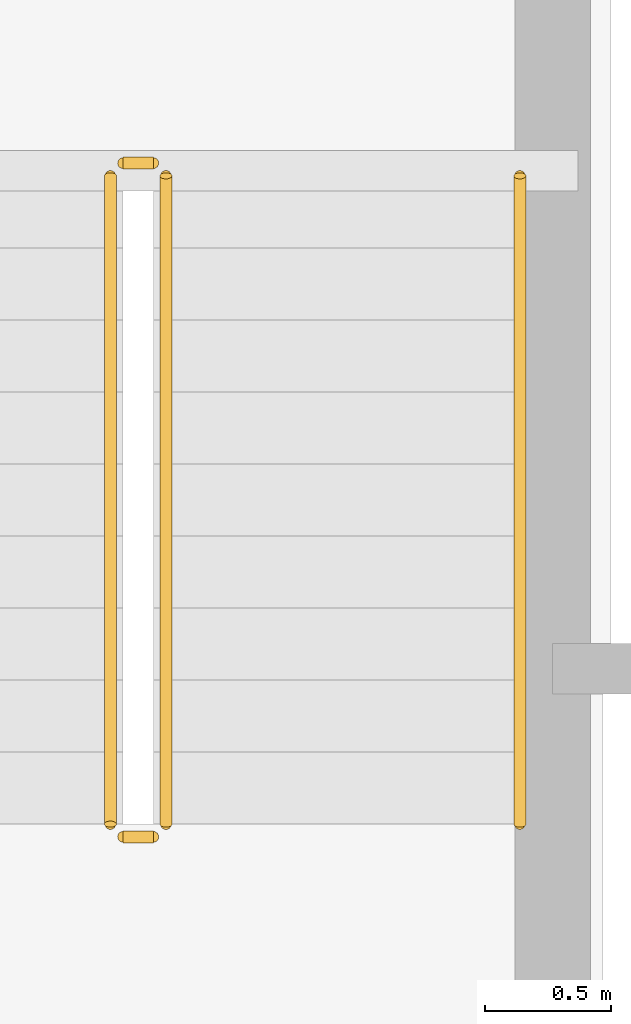
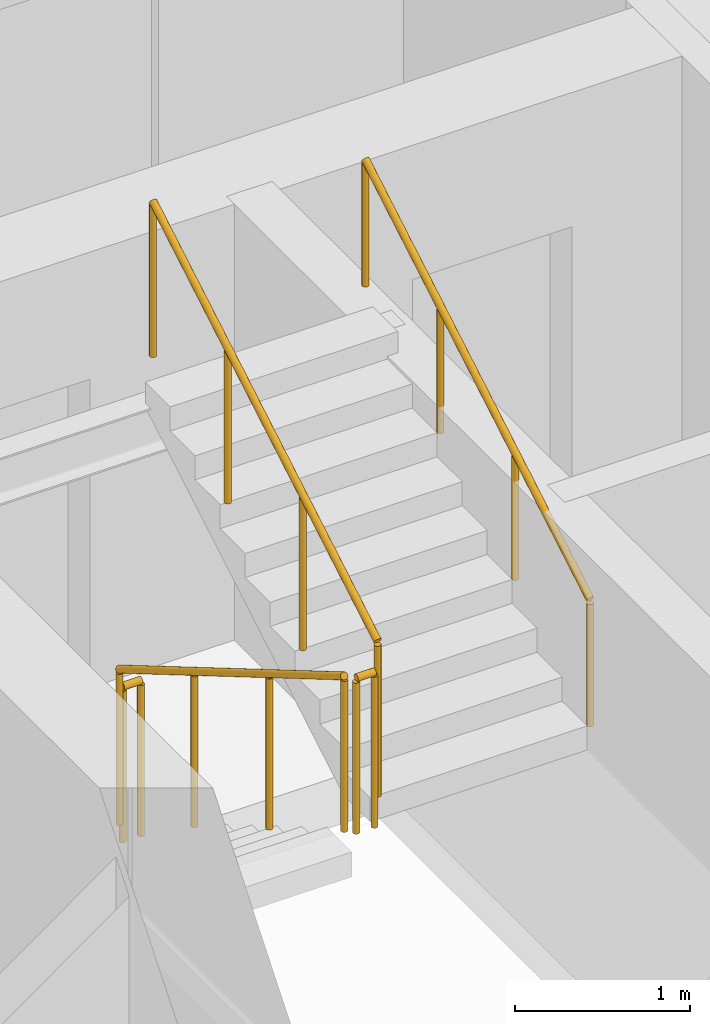
# One storey, part 18 of 21: 5 railings.
"""IFC4 building model written with IfcOpenShell, lengths in metres."""

from ifc_helpers import new_model, si_unit, direction, frame, origin, origin_2d, place, context, subcontext, project, spatial, circle, extrude, material, type_object, element, save


model = new_model("IFC4")

# Units and contexts
model_context = context("Model", 3, precision=1e-05, world=origin(), true_north=direction((0.0, 1.0)))
body_context = subcontext(model_context, "Body", "Model", "MODEL_VIEW")
ifc_project = project(units=[si_unit("LENGTHUNIT", "METRE"), si_unit("AREAUNIT", "SQUARE_METRE"), si_unit("VOLUMEUNIT", "CUBIC_METRE"), si_unit("PLANEANGLEUNIT", "RADIAN"), si_unit("MASSUNIT", "GRAM", prefix="KILO")], contexts=[model_context])

# Site, building, storey
site_placement = place(None, origin())
site = spatial("IfcSite", under=ifc_project, at=site_placement, CompositionType="ELEMENT")
building_placement = place(site_placement, origin())
building = spatial("IfcBuilding", under=site, at=building_placement, Name="Qobustan Lattice House", CompositionType="ELEMENT")
storey_placement = place(building_placement, frame((0.0, 0.0, 27.0)))
storey = spatial("IfcBuildingStorey", under=building, at=storey_placement, Name="L06", CompositionType="ELEMENT", Elevation=27.0)

# Railings
ifc_material_1 = material(Name="Brushed stainless steel handrail", Category="steel")
railing_type_1 = type_object("IfcRailingType", Name="RAL-HR-920", PredefinedType="HANDRAIL", material=ifc_material_1)
railing_1_placement = place(storey_placement, frame((-15.179931640625, 0.93505859375, 1.842529296875)))
element("IfcRailing", 1, at=railing_1_placement, inside=storey, type_object=railing_type_1, Name="L06 ST-W1 stair handrail 2", PredefinedType="HANDRAIL", context=body_context, shape_type="SweptSolid", body=[
    extrude(circle(Radius=0.02392578125, at=origin_2d()), frame((0.0, 0.0, 0.8759765625), z_axis=(0.0, 0.862113467892, 0.50671527358), x_axis=(-1.0, 0.0, 0.0)), (0.0, 0.0, 1.0), 2.97509765625),
    extrude(circle(Radius=0.02099609375, at=origin_2d()), origin(), (0.0, 0.0, 1.0), 0.851806640625),
    extrude(circle(Radius=0.02099609375, at=origin_2d()), frame((0.0, 0.85498046875, 0.50244140625)), (0.0, 0.0, 1.0), 0.851806640625),
    extrude(circle(Radius=0.02099609375, at=origin_2d()), frame((0.0, 1.7099609375, 1.005126953125)), (0.0, 0.0, 1.0), 0.851806640625),
    extrude(circle(Radius=0.02099609375, at=origin_2d()), frame((0.0, 2.56494140625, 1.507568359375)), (0.0, 0.0, 1.0), 0.851806640625),
])
ifc_material_2 = material(Name="Painted galvanized steel guardrail", Category="steel")
railing_type_2 = type_object("IfcRailingType", Name="RAL-STG-1150", PredefinedType="GUARDRAIL", material=ifc_material_2)
railing_2_placement = place(storey_placement, frame((-16.800048828125, 3.5, 0.16748046875)))
element("IfcRailing", 2, at=railing_2_placement, inside=storey, type_object=railing_type_2, Name="L06 ST-W1 stair guard 1", PredefinedType="GUARDRAIL", context=body_context, shape_type="SweptSolid", body=[
    extrude(circle(Radius=0.02392578125, at=origin_2d()), frame((0.0, 0.0, 1.076171875), z_axis=(0.0, -0.862113467892, 0.50671527358), x_axis=(1.0, 0.0, 0.0)), (0.0, 0.0, 1.0), 2.97509765625),
    extrude(circle(Radius=0.02099609375, at=origin_2d()), origin(), (0.0, 0.0, 1.0), 1.052001953125),
    extrude(circle(Radius=0.02099609375, at=origin_2d()), frame((0.0, -0.85498046875, 0.50244140625)), (0.0, 0.0, 1.0), 1.052001953125),
    extrude(circle(Radius=0.02099609375, at=origin_2d()), frame((0.0, -1.7099609375, 1.005126953125)), (0.0, 0.0, 1.0), 1.052001953125),
    extrude(circle(Radius=0.02099609375, at=origin_2d()), frame((0.0, -2.56494140625, 1.507568359375)), (0.0, 0.0, 1.0), 1.052001953125),
])
railing_3_placement = place(storey_placement, frame((-16.75, 0.885009765625, 1.675048828125)))
element("IfcRailing", 3, at=railing_3_placement, inside=storey, type_object=railing_type_2, Name="L06 ST-W1 stair guard 2", PredefinedType="GUARDRAIL", context=body_context, shape_type="SweptSolid", body=[
    extrude(circle(Radius=0.02392578125, at=origin_2d()), frame((0.0, 0.0, 1.076171875), z_axis=(1.0, 0.0, 0.0), x_axis=(0.0, 1.0, 0.0)), (0.0, 0.0, 1.0), 0.1201171875),
    extrude(circle(Radius=0.02099609375, at=origin_2d()), origin(), (0.0, 0.0, 1.0), 1.052001953125),
    extrude(circle(Radius=0.02099609375, at=origin_2d()), frame((0.1201171875, 0.0, 0.0)), (0.0, 0.0, 1.0), 1.052001953125),
])
railing_4_placement = place(storey_placement, frame((-16.580078125, 0.93505859375, 1.842529296875)))
element("IfcRailing", 4, at=railing_4_placement, inside=storey, type_object=railing_type_2, Name="L06 ST-W1 stair guard 3", PredefinedType="GUARDRAIL", context=body_context, shape_type="SweptSolid", body=[
    extrude(circle(Radius=0.02392578125, at=origin_2d()), frame((0.0, 0.0, 1.076171875), z_axis=(0.0, 0.862113467892, 0.50671527358), x_axis=(-1.0, 0.0, 0.0)), (0.0, 0.0, 1.0), 2.97509765625),
    extrude(circle(Radius=0.02099609375, at=origin_2d()), origin(), (0.0, 0.0, 1.0), 1.052001953125),
    extrude(circle(Radius=0.02099609375, at=origin_2d()), frame((0.0, 0.85498046875, 0.50244140625)), (0.0, 0.0, 1.0), 1.052001953125),
    extrude(circle(Radius=0.02099609375, at=origin_2d()), frame((0.0, 1.7099609375, 1.005126953125)), (0.0, 0.0, 1.0), 1.052001953125),
    extrude(circle(Radius=0.02099609375, at=origin_2d()), frame((0.0, 2.56494140625, 1.507568359375)), (0.0, 0.0, 1.0), 1.052001953125),
])
railing_5_placement = place(storey_placement, frame((-16.75, 3.550048828125, 0.0)))
element("IfcRailing", 5, at=railing_5_placement, inside=storey, type_object=railing_type_2, Name="L06 ST-W1 stair guard 4", PredefinedType="GUARDRAIL", context=body_context, shape_type="SweptSolid", body=[
    extrude(circle(Radius=0.02392578125, at=origin_2d()), frame((0.0, 0.0, 1.076171875), z_axis=(1.0, 0.0, 0.0), x_axis=(0.0, 1.0, 0.0)), (0.0, 0.0, 1.0), 0.1201171875),
    extrude(circle(Radius=0.02099609375, at=origin_2d()), origin(), (0.0, 0.0, 1.0), 1.052001953125),
    extrude(circle(Radius=0.02099609375, at=origin_2d()), frame((0.1201171875, 0.0, 0.0)), (0.0, 0.0, 1.0), 1.052001953125),
])

save(model, "model.ifc")
